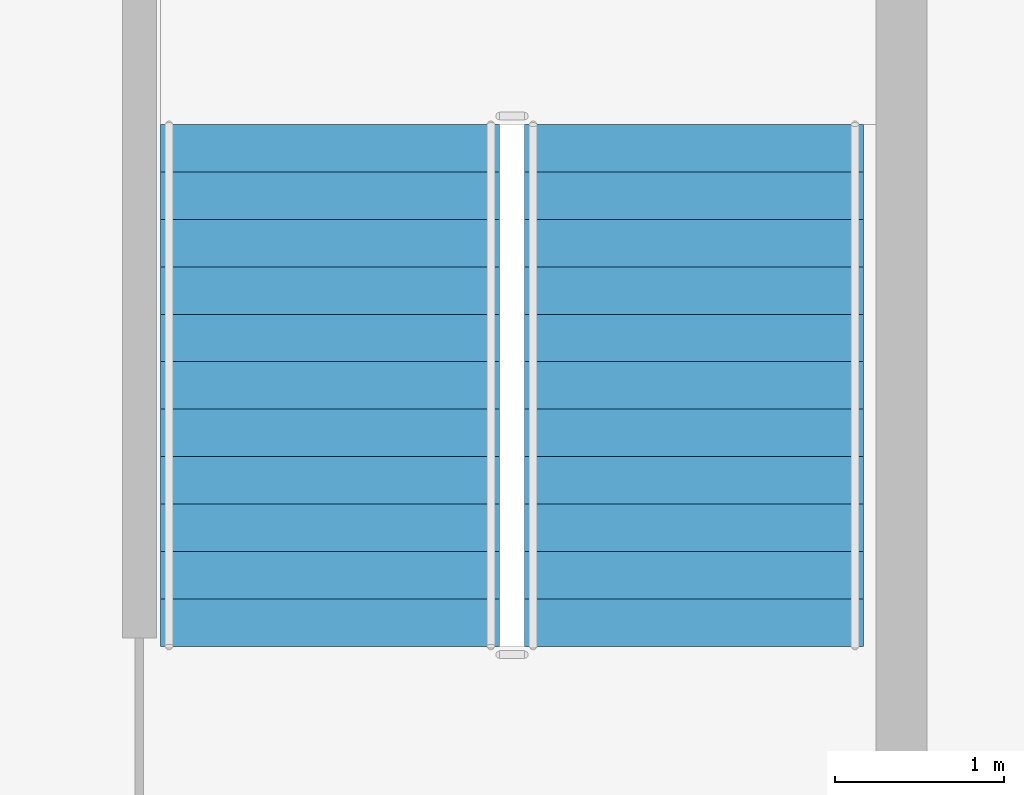
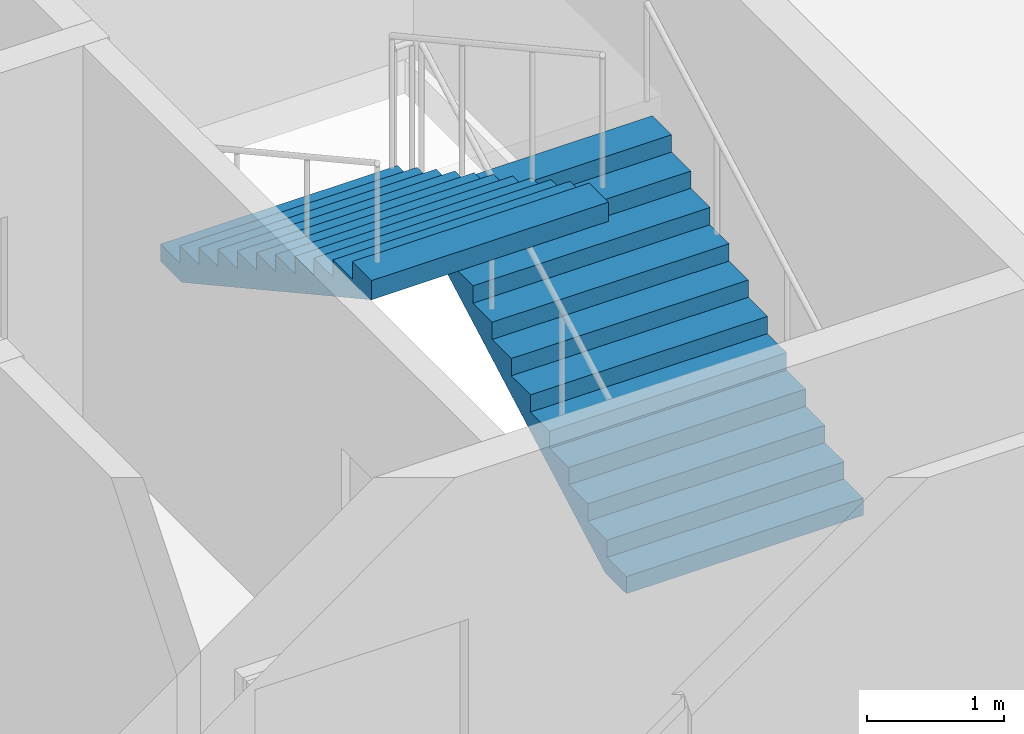
# One storey, part 8 of 15: 2 stair flights, 1 element without a shape of its own.
"""IFC4 building model written with IfcOpenShell, lengths in metres."""

from ifc_helpers import new_model, si_unit, direction, frame, origin, place, context, subcontext, project, spatial, polygons, material, type_object, element, aggregate, save


model = new_model("IFC4")

# Units and contexts
model_context = context("Model", 3, precision=1e-05, world=origin(), true_north=direction((0.0, 1.0)))
body_context = subcontext(model_context, "Body", "Model", "MODEL_VIEW")
ifc_project = project(units=[si_unit("LENGTHUNIT", "METRE"), si_unit("AREAUNIT", "SQUARE_METRE"), si_unit("VOLUMEUNIT", "CUBIC_METRE"), si_unit("PLANEANGLEUNIT", "RADIAN"), si_unit("MASSUNIT", "GRAM", prefix="KILO")], contexts=[model_context])

# Site, building, storey
site_placement = place(None, origin())
site = spatial("IfcSite", under=ifc_project, at=site_placement, CompositionType="ELEMENT")
building_placement = place(site_placement, origin())
building = spatial("IfcBuilding", under=site, at=building_placement, Name="Caravel Reach Hotel and Residences", CompositionType="ELEMENT")
storey_placement = place(building_placement, frame((0.0, 0.0, 252.699951171875)))
storey = spatial("IfcBuildingStorey", under=building, at=storey_placement, Name="L64", CompositionType="ELEMENT", Elevation=252.699951171875)

# Stair, stair flights
ifc_material_1 = material(Name="Concrete C40", Category="concrete")
stair_type = type_object("IfcStairType", Name="Core stair", PredefinedType="HALF_TURN_STAIR", material=ifc_material_1)
stair_placement = place(storey_placement, origin())
stair = element("IfcStair", 1, at=stair_placement, inside=storey, type_object=stair_type, Name="L64 Exit stair B", PredefinedType="HALF_TURN_STAIR")
ifc_material_2 = material(Name="Concrete C40", Category="concrete")
stair_flight_type = type_object("IfcStairFlightType", Name="Core stair flight", PredefinedType="STRAIGHT", material=ifc_material_2)
stair_flight_1_placement = place(storey_placement, frame((43.77490234375, 24.64990234375, 0.0), z_axis=(0.0, 0.0, 1.0), x_axis=(0.0, 1.0, 0.0)))
stair_flight_1 = element("IfcStairFlight", 2, at=stair_flight_1_placement, type_object=stair_flight_type, Name="ST-B flight 1", NumberOfRisers=12, NumberOfTreads=11, PredefinedType="STRAIGHT", RiserHeight=0.154166667, TreadLength=0.28, context=body_context, shape_type="Tessellation", body=[
    polygons([(0.3107950034306102, 1.0, 0.0), (0.3107950034306102, 0.6666666666666667, 0.0), (0.3107950034306102, 0.33333333333333337, 0.0), (0.3107950034306102, 0.0, 0.0), (0.3107950034306102, -0.33333333333333326, 0.0), (0.3107950034306102, -0.6666666666666667, 0.0), (0.3107950034306102, -1.0, 0.0), (3.081, 1.0, 1.524711087717319), (3.081, 0.6666666666666667, 1.524711087717319), (3.081, 0.33333333333333337, 1.524711087717319), (3.081, 0.0, 1.524711087717319), (3.081, -0.33333333333333326, 1.524711087717319), (3.081, -0.6666666666666667, 1.524711087717319), (3.081, -1.0, 1.524711087717319), (3.081, 1.0, 1.695833337), (3.081, 0.6666666666666667, 1.695833337), (3.081, 0.33333333333333337, 1.695833337), (3.081, 0.0, 1.695833337), (3.081, -0.33333333333333326, 1.695833337), (3.081, -0.6666666666666667, 1.695833337), (3.081, -1.0, 1.695833337), (2.8000000000000003, 1.0, 1.695833337), (2.8000000000000003, 0.6666666666666667, 1.695833337), (2.8000000000000003, 0.33333333333333337, 1.695833337), (2.8000000000000003, 0.0, 1.695833337), (2.8000000000000003, -0.33333333333333326, 1.695833337), (2.8000000000000003, -0.6666666666666667, 1.695833337), (2.8000000000000003, -1.0, 1.695833337), (2.8000000000000003, 1.0, 1.5416666700000001), (2.8000000000000003, 0.6666666666666667, 1.5416666700000001), (2.8000000000000003, 0.33333333333333337, 1.5416666700000001), (2.8000000000000003, 0.0, 1.5416666700000001), (2.8000000000000003, -0.33333333333333326, 1.5416666700000001), (2.8000000000000003, -0.6666666666666667, 1.5416666700000001), (2.8000000000000003, -1.0, 1.5416666700000001), (2.5200000000000005, 1.0, 1.5416666700000001), (2.5200000000000005, 0.6666666666666667, 1.5416666700000001), (2.5200000000000005, 0.33333333333333337, 1.5416666700000001), (2.5200000000000005, 0.0, 1.5416666700000001), (2.5200000000000005, -0.33333333333333326, 1.5416666700000001), (2.5200000000000005, -0.6666666666666667, 1.5416666700000001), (2.5200000000000005, -1.0, 1.5416666700000001), (2.5200000000000005, 1.0, 1.387500003), (2.5200000000000005, 0.6666666666666667, 1.387500003), (2.5200000000000005, 0.33333333333333337, 1.387500003), (2.5200000000000005, 0.0, 1.387500003), (2.5200000000000005, -0.33333333333333326, 1.387500003), (2.5200000000000005, -0.6666666666666667, 1.387500003), (2.5200000000000005, -1.0, 1.387500003), (2.24, 1.0, 1.387500003), (2.24, 0.6666666666666667, 1.387500003), (2.24, 0.33333333333333337, 1.387500003), (2.24, 0.0, 1.387500003), (2.24, -0.33333333333333326, 1.387500003), (2.24, -0.6666666666666667, 1.387500003), (2.24, -1.0, 1.387500003), (2.24, 1.0, 1.233333336), (2.24, 0.6666666666666667, 1.233333336), (2.24, 0.33333333333333337, 1.233333336), (2.24, 0.0, 1.233333336), (2.24, -0.33333333333333326, 1.233333336), (2.24, -0.6666666666666667, 1.233333336), (2.24, -1.0, 1.233333336), (1.9600000000000002, 1.0, 1.233333336), (1.9600000000000002, 0.6666666666666667, 1.233333336), (1.9600000000000002, 0.33333333333333337, 1.233333336), (1.9600000000000002, 0.0, 1.233333336), (1.9600000000000002, -0.33333333333333326, 1.233333336), (1.9600000000000002, -0.6666666666666667, 1.233333336), (1.9600000000000002, -1.0, 1.233333336), (1.9600000000000002, 1.0, 1.0791666690000001), (1.9600000000000002, 0.6666666666666667, 1.0791666690000001), (1.9600000000000002, 0.33333333333333337, 1.0791666690000001), (1.9600000000000002, 0.0, 1.0791666690000001), (1.9600000000000002, -0.33333333333333326, 1.0791666690000001), (1.9600000000000002, -0.6666666666666667, 1.0791666690000001), (1.9600000000000002, -1.0, 1.0791666690000001), (1.6800000000000002, 1.0, 1.0791666690000001), (1.6800000000000002, 0.6666666666666667, 1.0791666690000001), (1.6800000000000002, 0.33333333333333337, 1.0791666690000001), (1.6800000000000002, 0.0, 1.0791666690000001), (1.6800000000000002, -0.33333333333333326, 1.0791666690000001), (1.6800000000000002, -0.6666666666666667, 1.0791666690000001), (1.6800000000000002, -1.0, 1.0791666690000001), (1.6800000000000002, 1.0, 0.925000002), (1.6800000000000002, 0.6666666666666667, 0.925000002), (1.6800000000000002, 0.33333333333333337, 0.925000002), (1.6800000000000002, 0.0, 0.925000002), (1.6800000000000002, -0.33333333333333326, 0.925000002), (1.6800000000000002, -0.6666666666666667, 0.925000002), (1.6800000000000002, -1.0, 0.925000002), (1.4000000000000001, 1.0, 0.925000002), (1.4000000000000001, 0.6666666666666667, 0.925000002), (1.4000000000000001, 0.33333333333333337, 0.925000002), (1.4000000000000001, 0.0, 0.925000002), (1.4000000000000001, -0.33333333333333326, 0.925000002), (1.4000000000000001, -0.6666666666666667, 0.925000002), (1.4000000000000001, -1.0, 0.925000002), (1.4000000000000001, 1.0, 0.7708333350000001), (1.4000000000000001, 0.6666666666666667, 0.7708333350000001), (1.4000000000000001, 0.33333333333333337, 0.7708333350000001), (1.4000000000000001, 0.0, 0.7708333350000001), (1.4000000000000001, -0.33333333333333326, 0.7708333350000001), (1.4000000000000001, -0.6666666666666667, 0.7708333350000001), (1.4000000000000001, -1.0, 0.7708333350000001), (1.12, 1.0, 0.7708333350000001), (1.12, 0.6666666666666667, 0.7708333350000001), (1.12, 0.33333333333333337, 0.7708333350000001), (1.12, 0.0, 0.7708333350000001), (1.12, -0.33333333333333326, 0.7708333350000001), (1.12, -0.6666666666666667, 0.7708333350000001), (1.12, -1.0, 0.7708333350000001), (1.12, 1.0, 0.616666668), (1.12, 0.6666666666666667, 0.616666668), (1.12, 0.33333333333333337, 0.616666668), (1.12, 0.0, 0.616666668), (1.12, -0.33333333333333326, 0.616666668), (1.12, -0.6666666666666667, 0.616666668), (1.12, -1.0, 0.616666668), (0.8400000000000001, 1.0, 0.616666668), (0.8400000000000001, 0.6666666666666667, 0.616666668), (0.8400000000000001, 0.33333333333333337, 0.616666668), (0.8400000000000001, 0.0, 0.616666668), (0.8400000000000001, -0.33333333333333326, 0.616666668), (0.8400000000000001, -0.6666666666666667, 0.616666668), (0.8400000000000001, -1.0, 0.616666668), (0.8400000000000001, 1.0, 0.462500001), (0.8400000000000001, 0.6666666666666667, 0.462500001), (0.8400000000000001, 0.33333333333333337, 0.462500001), (0.8400000000000001, 0.0, 0.462500001), (0.8400000000000001, -0.33333333333333326, 0.462500001), (0.8400000000000001, -0.6666666666666667, 0.462500001), (0.8400000000000001, -1.0, 0.462500001), (0.56, 1.0, 0.462500001), (0.56, 0.6666666666666667, 0.462500001), (0.56, 0.33333333333333337, 0.462500001), (0.56, 0.0, 0.462500001), (0.56, -0.33333333333333326, 0.462500001), (0.56, -0.6666666666666667, 0.462500001), (0.56, -1.0, 0.462500001), (0.56, 1.0, 0.308333334), (0.56, 0.6666666666666667, 0.308333334), (0.56, 0.33333333333333337, 0.308333334), (0.56, 0.0, 0.308333334), (0.56, -0.33333333333333326, 0.308333334), (0.56, -0.6666666666666667, 0.308333334), (0.56, -1.0, 0.308333334), (0.28, 1.0, 0.308333334), (0.28, 0.6666666666666667, 0.308333334), (0.28, 0.33333333333333337, 0.308333334), (0.28, 0.0, 0.308333334), (0.28, -0.33333333333333326, 0.308333334), (0.28, -0.6666666666666667, 0.308333334), (0.28, -1.0, 0.308333334), (0.28, 1.0, 0.154166667), (0.28, 0.6666666666666667, 0.154166667), (0.28, 0.33333333333333337, 0.154166667), (0.28, 0.0, 0.154166667), (0.28, -0.33333333333333326, 0.154166667), (0.28, -0.6666666666666667, 0.154166667), (0.28, -1.0, 0.154166667), (-0.001, 1.0, 0.154166667), (-0.001, 0.6666666666666667, 0.154166667), (-0.001, 0.33333333333333337, 0.154166667), (-0.001, 0.0, 0.154166667), (-0.001, -0.33333333333333326, 0.154166667), (-0.001, -0.6666666666666667, 0.154166667), (-0.001, -1.0, 0.154166667), (-0.001, 1.0, 0.0), (-0.001, 0.6666666666666667, 0.0), (-0.001, 0.33333333333333337, 0.0), (-0.001, 0.0, 0.0), (-0.001, -0.33333333333333326, 0.0), (-0.001, -0.6666666666666667, 0.0), (-0.001, -1.0, 0.0)], [[[169, 162, 155, 148, 141, 134, 127, 120, 113, 106, 99, 92, 85, 78, 71, 64, 57, 50, 43, 36, 29, 22, 15, 8, 1]], [[7, 14, 21, 28, 35, 42, 49, 56, 63, 70, 77, 84, 91, 98, 105, 112, 119, 126, 133, 140, 147, 154, 161, 168, 175]], [[1, 8, 9, 2]], [[2, 9, 10, 3]], [[3, 10, 11, 4]], [[4, 11, 12, 5]], [[5, 12, 13, 6]], [[6, 13, 14, 7]], [[8, 15, 16, 9]], [[9, 16, 17, 10]], [[10, 17, 18, 11]], [[11, 18, 19, 12]], [[12, 19, 20, 13]], [[13, 20, 21, 14]], [[15, 22, 23, 16]], [[16, 23, 24, 17]], [[17, 24, 25, 18]], [[18, 25, 26, 19]], [[19, 26, 27, 20]], [[20, 27, 28, 21]], [[22, 29, 30, 23]], [[23, 30, 31, 24]], [[24, 31, 32, 25]], [[25, 32, 33, 26]], [[26, 33, 34, 27]], [[27, 34, 35, 28]], [[29, 36, 37, 30]], [[30, 37, 38, 31]], [[31, 38, 39, 32]], [[32, 39, 40, 33]], [[33, 40, 41, 34]], [[34, 41, 42, 35]], [[36, 43, 44, 37]], [[37, 44, 45, 38]], [[38, 45, 46, 39]], [[39, 46, 47, 40]], [[40, 47, 48, 41]], [[41, 48, 49, 42]], [[43, 50, 51, 44]], [[44, 51, 52, 45]], [[45, 52, 53, 46]], [[46, 53, 54, 47]], [[47, 54, 55, 48]], [[48, 55, 56, 49]], [[50, 57, 58, 51]], [[51, 58, 59, 52]], [[52, 59, 60, 53]], [[53, 60, 61, 54]], [[54, 61, 62, 55]], [[55, 62, 63, 56]], [[57, 64, 65, 58]], [[58, 65, 66, 59]], [[59, 66, 67, 60]], [[60, 67, 68, 61]], [[61, 68, 69, 62]], [[62, 69, 70, 63]], [[64, 71, 72, 65]], [[65, 72, 73, 66]], [[66, 73, 74, 67]], [[67, 74, 75, 68]], [[68, 75, 76, 69]], [[69, 76, 77, 70]], [[71, 78, 79, 72]], [[72, 79, 80, 73]], [[73, 80, 81, 74]], [[74, 81, 82, 75]], [[75, 82, 83, 76]], [[76, 83, 84, 77]], [[78, 85, 86, 79]], [[79, 86, 87, 80]], [[80, 87, 88, 81]], [[81, 88, 89, 82]], [[82, 89, 90, 83]], [[83, 90, 91, 84]], [[85, 92, 93, 86]], [[86, 93, 94, 87]], [[87, 94, 95, 88]], [[88, 95, 96, 89]], [[89, 96, 97, 90]], [[90, 97, 98, 91]], [[92, 99, 100, 93]], [[93, 100, 101, 94]], [[94, 101, 102, 95]], [[95, 102, 103, 96]], [[96, 103, 104, 97]], [[97, 104, 105, 98]], [[99, 106, 107, 100]], [[100, 107, 108, 101]], [[101, 108, 109, 102]], [[102, 109, 110, 103]], [[103, 110, 111, 104]], [[104, 111, 112, 105]], [[106, 113, 114, 107]], [[107, 114, 115, 108]], [[108, 115, 116, 109]], [[109, 116, 117, 110]], [[110, 117, 118, 111]], [[111, 118, 119, 112]], [[113, 120, 121, 114]], [[114, 121, 122, 115]], [[115, 122, 123, 116]], [[116, 123, 124, 117]], [[117, 124, 125, 118]], [[118, 125, 126, 119]], [[120, 127, 128, 121]], [[121, 128, 129, 122]], [[122, 129, 130, 123]], [[123, 130, 131, 124]], [[124, 131, 132, 125]], [[125, 132, 133, 126]], [[127, 134, 135, 128]], [[128, 135, 136, 129]], [[129, 136, 137, 130]], [[130, 137, 138, 131]], [[131, 138, 139, 132]], [[132, 139, 140, 133]], [[134, 141, 142, 135]], [[135, 142, 143, 136]], [[136, 143, 144, 137]], [[137, 144, 145, 138]], [[138, 145, 146, 139]], [[139, 146, 147, 140]], [[141, 148, 149, 142]], [[142, 149, 150, 143]], [[143, 150, 151, 144]], [[144, 151, 152, 145]], [[145, 152, 153, 146]], [[146, 153, 154, 147]], [[148, 155, 156, 149]], [[149, 156, 157, 150]], [[150, 157, 158, 151]], [[151, 158, 159, 152]], [[152, 159, 160, 153]], [[153, 160, 161, 154]], [[155, 162, 163, 156]], [[156, 163, 164, 157]], [[157, 164, 165, 158]], [[158, 165, 166, 159]], [[159, 166, 167, 160]], [[160, 167, 168, 161]], [[162, 169, 170, 163]], [[163, 170, 171, 164]], [[164, 171, 172, 165]], [[165, 172, 173, 166]], [[166, 173, 174, 167]], [[167, 174, 175, 168]], [[169, 1, 2, 170]], [[170, 2, 3, 171]], [[171, 3, 4, 172]], [[172, 4, 5, 173]], [[173, 5, 6, 174]], [[174, 6, 7, 175]]], closed=True),
])
stair_flight_2_placement = place(storey_placement, frame((41.625, 27.72998046875, 1.85009765625), z_axis=(0.0, 0.0, 1.0), x_axis=(0.0, -1.0, 0.0)))
stair_flight_2 = element("IfcStairFlight", 3, at=stair_flight_2_placement, type_object=stair_flight_type, Name="ST-B flight 2", NumberOfRisers=12, NumberOfTreads=11, PredefinedType="STRAIGHT", RiserHeight=0.154166667, TreadLength=0.28, context=body_context, shape_type="Tessellation", body=[
    polygons([(0.3107950034306102, 1.0, 0.0), (0.3107950034306102, 0.6666666666666667, 0.0), (0.3107950034306102, 0.33333333333333337, 0.0), (0.3107950034306102, 0.0, 0.0), (0.3107950034306102, -0.33333333333333326, 0.0), (0.3107950034306102, -0.6666666666666667, 0.0), (0.3107950034306102, -1.0, 0.0), (3.081, 1.0, 1.524711087717319), (3.081, 0.6666666666666667, 1.524711087717319), (3.081, 0.33333333333333337, 1.524711087717319), (3.081, 0.0, 1.524711087717319), (3.081, -0.33333333333333326, 1.524711087717319), (3.081, -0.6666666666666667, 1.524711087717319), (3.081, -1.0, 1.524711087717319), (3.081, 1.0, 1.695833337), (3.081, 0.6666666666666667, 1.695833337), (3.081, 0.33333333333333337, 1.695833337), (3.081, 0.0, 1.695833337), (3.081, -0.33333333333333326, 1.695833337), (3.081, -0.6666666666666667, 1.695833337), (3.081, -1.0, 1.695833337), (2.8000000000000003, 1.0, 1.695833337), (2.8000000000000003, 0.6666666666666667, 1.695833337), (2.8000000000000003, 0.33333333333333337, 1.695833337), (2.8000000000000003, 0.0, 1.695833337), (2.8000000000000003, -0.33333333333333326, 1.695833337), (2.8000000000000003, -0.6666666666666667, 1.695833337), (2.8000000000000003, -1.0, 1.695833337), (2.8000000000000003, 1.0, 1.5416666700000001), (2.8000000000000003, 0.6666666666666667, 1.5416666700000001), (2.8000000000000003, 0.33333333333333337, 1.5416666700000001), (2.8000000000000003, 0.0, 1.5416666700000001), (2.8000000000000003, -0.33333333333333326, 1.5416666700000001), (2.8000000000000003, -0.6666666666666667, 1.5416666700000001), (2.8000000000000003, -1.0, 1.5416666700000001), (2.5200000000000005, 1.0, 1.5416666700000001), (2.5200000000000005, 0.6666666666666667, 1.5416666700000001), (2.5200000000000005, 0.33333333333333337, 1.5416666700000001), (2.5200000000000005, 0.0, 1.5416666700000001), (2.5200000000000005, -0.33333333333333326, 1.5416666700000001), (2.5200000000000005, -0.6666666666666667, 1.5416666700000001), (2.5200000000000005, -1.0, 1.5416666700000001), (2.5200000000000005, 1.0, 1.387500003), (2.5200000000000005, 0.6666666666666667, 1.387500003), (2.5200000000000005, 0.33333333333333337, 1.387500003), (2.5200000000000005, 0.0, 1.387500003), (2.5200000000000005, -0.33333333333333326, 1.387500003), (2.5200000000000005, -0.6666666666666667, 1.387500003), (2.5200000000000005, -1.0, 1.387500003), (2.24, 1.0, 1.387500003), (2.24, 0.6666666666666667, 1.387500003), (2.24, 0.33333333333333337, 1.387500003), (2.24, 0.0, 1.387500003), (2.24, -0.33333333333333326, 1.387500003), (2.24, -0.6666666666666667, 1.387500003), (2.24, -1.0, 1.387500003), (2.24, 1.0, 1.233333336), (2.24, 0.6666666666666667, 1.233333336), (2.24, 0.33333333333333337, 1.233333336), (2.24, 0.0, 1.233333336), (2.24, -0.33333333333333326, 1.233333336), (2.24, -0.6666666666666667, 1.233333336), (2.24, -1.0, 1.233333336), (1.9600000000000002, 1.0, 1.233333336), (1.9600000000000002, 0.6666666666666667, 1.233333336), (1.9600000000000002, 0.33333333333333337, 1.233333336), (1.9600000000000002, 0.0, 1.233333336), (1.9600000000000002, -0.33333333333333326, 1.233333336), (1.9600000000000002, -0.6666666666666667, 1.233333336), (1.9600000000000002, -1.0, 1.233333336), (1.9600000000000002, 1.0, 1.0791666690000001), (1.9600000000000002, 0.6666666666666667, 1.0791666690000001), (1.9600000000000002, 0.33333333333333337, 1.0791666690000001), (1.9600000000000002, 0.0, 1.0791666690000001), (1.9600000000000002, -0.33333333333333326, 1.0791666690000001), (1.9600000000000002, -0.6666666666666667, 1.0791666690000001), (1.9600000000000002, -1.0, 1.0791666690000001), (1.6800000000000002, 1.0, 1.0791666690000001), (1.6800000000000002, 0.6666666666666667, 1.0791666690000001), (1.6800000000000002, 0.33333333333333337, 1.0791666690000001), (1.6800000000000002, 0.0, 1.0791666690000001), (1.6800000000000002, -0.33333333333333326, 1.0791666690000001), (1.6800000000000002, -0.6666666666666667, 1.0791666690000001), (1.6800000000000002, -1.0, 1.0791666690000001), (1.6800000000000002, 1.0, 0.925000002), (1.6800000000000002, 0.6666666666666667, 0.925000002), (1.6800000000000002, 0.33333333333333337, 0.925000002), (1.6800000000000002, 0.0, 0.925000002), (1.6800000000000002, -0.33333333333333326, 0.925000002), (1.6800000000000002, -0.6666666666666667, 0.925000002), (1.6800000000000002, -1.0, 0.925000002), (1.4000000000000001, 1.0, 0.925000002), (1.4000000000000001, 0.6666666666666667, 0.925000002), (1.4000000000000001, 0.33333333333333337, 0.925000002), (1.4000000000000001, 0.0, 0.925000002), (1.4000000000000001, -0.33333333333333326, 0.925000002), (1.4000000000000001, -0.6666666666666667, 0.925000002), (1.4000000000000001, -1.0, 0.925000002), (1.4000000000000001, 1.0, 0.7708333350000001), (1.4000000000000001, 0.6666666666666667, 0.7708333350000001), (1.4000000000000001, 0.33333333333333337, 0.7708333350000001), (1.4000000000000001, 0.0, 0.7708333350000001), (1.4000000000000001, -0.33333333333333326, 0.7708333350000001), (1.4000000000000001, -0.6666666666666667, 0.7708333350000001), (1.4000000000000001, -1.0, 0.7708333350000001), (1.12, 1.0, 0.7708333350000001), (1.12, 0.6666666666666667, 0.7708333350000001), (1.12, 0.33333333333333337, 0.7708333350000001), (1.12, 0.0, 0.7708333350000001), (1.12, -0.33333333333333326, 0.7708333350000001), (1.12, -0.6666666666666667, 0.7708333350000001), (1.12, -1.0, 0.7708333350000001), (1.12, 1.0, 0.616666668), (1.12, 0.6666666666666667, 0.616666668), (1.12, 0.33333333333333337, 0.616666668), (1.12, 0.0, 0.616666668), (1.12, -0.33333333333333326, 0.616666668), (1.12, -0.6666666666666667, 0.616666668), (1.12, -1.0, 0.616666668), (0.8400000000000001, 1.0, 0.616666668), (0.8400000000000001, 0.6666666666666667, 0.616666668), (0.8400000000000001, 0.33333333333333337, 0.616666668), (0.8400000000000001, 0.0, 0.616666668), (0.8400000000000001, -0.33333333333333326, 0.616666668), (0.8400000000000001, -0.6666666666666667, 0.616666668), (0.8400000000000001, -1.0, 0.616666668), (0.8400000000000001, 1.0, 0.462500001), (0.8400000000000001, 0.6666666666666667, 0.462500001), (0.8400000000000001, 0.33333333333333337, 0.462500001), (0.8400000000000001, 0.0, 0.462500001), (0.8400000000000001, -0.33333333333333326, 0.462500001), (0.8400000000000001, -0.6666666666666667, 0.462500001), (0.8400000000000001, -1.0, 0.462500001), (0.56, 1.0, 0.462500001), (0.56, 0.6666666666666667, 0.462500001), (0.56, 0.33333333333333337, 0.462500001), (0.56, 0.0, 0.462500001), (0.56, -0.33333333333333326, 0.462500001), (0.56, -0.6666666666666667, 0.462500001), (0.56, -1.0, 0.462500001), (0.56, 1.0, 0.308333334), (0.56, 0.6666666666666667, 0.308333334), (0.56, 0.33333333333333337, 0.308333334), (0.56, 0.0, 0.308333334), (0.56, -0.33333333333333326, 0.308333334), (0.56, -0.6666666666666667, 0.308333334), (0.56, -1.0, 0.308333334), (0.28, 1.0, 0.308333334), (0.28, 0.6666666666666667, 0.308333334), (0.28, 0.33333333333333337, 0.308333334), (0.28, 0.0, 0.308333334), (0.28, -0.33333333333333326, 0.308333334), (0.28, -0.6666666666666667, 0.308333334), (0.28, -1.0, 0.308333334), (0.28, 1.0, 0.154166667), (0.28, 0.6666666666666667, 0.154166667), (0.28, 0.33333333333333337, 0.154166667), (0.28, 0.0, 0.154166667), (0.28, -0.33333333333333326, 0.154166667), (0.28, -0.6666666666666667, 0.154166667), (0.28, -1.0, 0.154166667), (-0.001, 1.0, 0.154166667), (-0.001, 0.6666666666666667, 0.154166667), (-0.001, 0.33333333333333337, 0.154166667), (-0.001, 0.0, 0.154166667), (-0.001, -0.33333333333333326, 0.154166667), (-0.001, -0.6666666666666667, 0.154166667), (-0.001, -1.0, 0.154166667), (-0.001, 1.0, 0.0), (-0.001, 0.6666666666666667, 0.0), (-0.001, 0.33333333333333337, 0.0), (-0.001, 0.0, 0.0), (-0.001, -0.33333333333333326, 0.0), (-0.001, -0.6666666666666667, 0.0), (-0.001, -1.0, 0.0)], [[[169, 162, 155, 148, 141, 134, 127, 120, 113, 106, 99, 92, 85, 78, 71, 64, 57, 50, 43, 36, 29, 22, 15, 8, 1]], [[7, 14, 21, 28, 35, 42, 49, 56, 63, 70, 77, 84, 91, 98, 105, 112, 119, 126, 133, 140, 147, 154, 161, 168, 175]], [[1, 8, 9, 2]], [[2, 9, 10, 3]], [[3, 10, 11, 4]], [[4, 11, 12, 5]], [[5, 12, 13, 6]], [[6, 13, 14, 7]], [[8, 15, 16, 9]], [[9, 16, 17, 10]], [[10, 17, 18, 11]], [[11, 18, 19, 12]], [[12, 19, 20, 13]], [[13, 20, 21, 14]], [[15, 22, 23, 16]], [[16, 23, 24, 17]], [[17, 24, 25, 18]], [[18, 25, 26, 19]], [[19, 26, 27, 20]], [[20, 27, 28, 21]], [[22, 29, 30, 23]], [[23, 30, 31, 24]], [[24, 31, 32, 25]], [[25, 32, 33, 26]], [[26, 33, 34, 27]], [[27, 34, 35, 28]], [[29, 36, 37, 30]], [[30, 37, 38, 31]], [[31, 38, 39, 32]], [[32, 39, 40, 33]], [[33, 40, 41, 34]], [[34, 41, 42, 35]], [[36, 43, 44, 37]], [[37, 44, 45, 38]], [[38, 45, 46, 39]], [[39, 46, 47, 40]], [[40, 47, 48, 41]], [[41, 48, 49, 42]], [[43, 50, 51, 44]], [[44, 51, 52, 45]], [[45, 52, 53, 46]], [[46, 53, 54, 47]], [[47, 54, 55, 48]], [[48, 55, 56, 49]], [[50, 57, 58, 51]], [[51, 58, 59, 52]], [[52, 59, 60, 53]], [[53, 60, 61, 54]], [[54, 61, 62, 55]], [[55, 62, 63, 56]], [[57, 64, 65, 58]], [[58, 65, 66, 59]], [[59, 66, 67, 60]], [[60, 67, 68, 61]], [[61, 68, 69, 62]], [[62, 69, 70, 63]], [[64, 71, 72, 65]], [[65, 72, 73, 66]], [[66, 73, 74, 67]], [[67, 74, 75, 68]], [[68, 75, 76, 69]], [[69, 76, 77, 70]], [[71, 78, 79, 72]], [[72, 79, 80, 73]], [[73, 80, 81, 74]], [[74, 81, 82, 75]], [[75, 82, 83, 76]], [[76, 83, 84, 77]], [[78, 85, 86, 79]], [[79, 86, 87, 80]], [[80, 87, 88, 81]], [[81, 88, 89, 82]], [[82, 89, 90, 83]], [[83, 90, 91, 84]], [[85, 92, 93, 86]], [[86, 93, 94, 87]], [[87, 94, 95, 88]], [[88, 95, 96, 89]], [[89, 96, 97, 90]], [[90, 97, 98, 91]], [[92, 99, 100, 93]], [[93, 100, 101, 94]], [[94, 101, 102, 95]], [[95, 102, 103, 96]], [[96, 103, 104, 97]], [[97, 104, 105, 98]], [[99, 106, 107, 100]], [[100, 107, 108, 101]], [[101, 108, 109, 102]], [[102, 109, 110, 103]], [[103, 110, 111, 104]], [[104, 111, 112, 105]], [[106, 113, 114, 107]], [[107, 114, 115, 108]], [[108, 115, 116, 109]], [[109, 116, 117, 110]], [[110, 117, 118, 111]], [[111, 118, 119, 112]], [[113, 120, 121, 114]], [[114, 121, 122, 115]], [[115, 122, 123, 116]], [[116, 123, 124, 117]], [[117, 124, 125, 118]], [[118, 125, 126, 119]], [[120, 127, 128, 121]], [[121, 128, 129, 122]], [[122, 129, 130, 123]], [[123, 130, 131, 124]], [[124, 131, 132, 125]], [[125, 132, 133, 126]], [[127, 134, 135, 128]], [[128, 135, 136, 129]], [[129, 136, 137, 130]], [[130, 137, 138, 131]], [[131, 138, 139, 132]], [[132, 139, 140, 133]], [[134, 141, 142, 135]], [[135, 142, 143, 136]], [[136, 143, 144, 137]], [[137, 144, 145, 138]], [[138, 145, 146, 139]], [[139, 146, 147, 140]], [[141, 148, 149, 142]], [[142, 149, 150, 143]], [[143, 150, 151, 144]], [[144, 151, 152, 145]], [[145, 152, 153, 146]], [[146, 153, 154, 147]], [[148, 155, 156, 149]], [[149, 156, 157, 150]], [[150, 157, 158, 151]], [[151, 158, 159, 152]], [[152, 159, 160, 153]], [[153, 160, 161, 154]], [[155, 162, 163, 156]], [[156, 163, 164, 157]], [[157, 164, 165, 158]], [[158, 165, 166, 159]], [[159, 166, 167, 160]], [[160, 167, 168, 161]], [[162, 169, 170, 163]], [[163, 170, 171, 164]], [[164, 171, 172, 165]], [[165, 172, 173, 166]], [[166, 173, 174, 167]], [[167, 174, 175, 168]], [[169, 1, 2, 170]], [[170, 2, 3, 171]], [[171, 3, 4, 172]], [[172, 4, 5, 173]], [[173, 5, 6, 174]], [[174, 6, 7, 175]]], closed=True),
])
aggregate(stair, [stair_flight_1, stair_flight_2])

save(model, "model.ifc")
